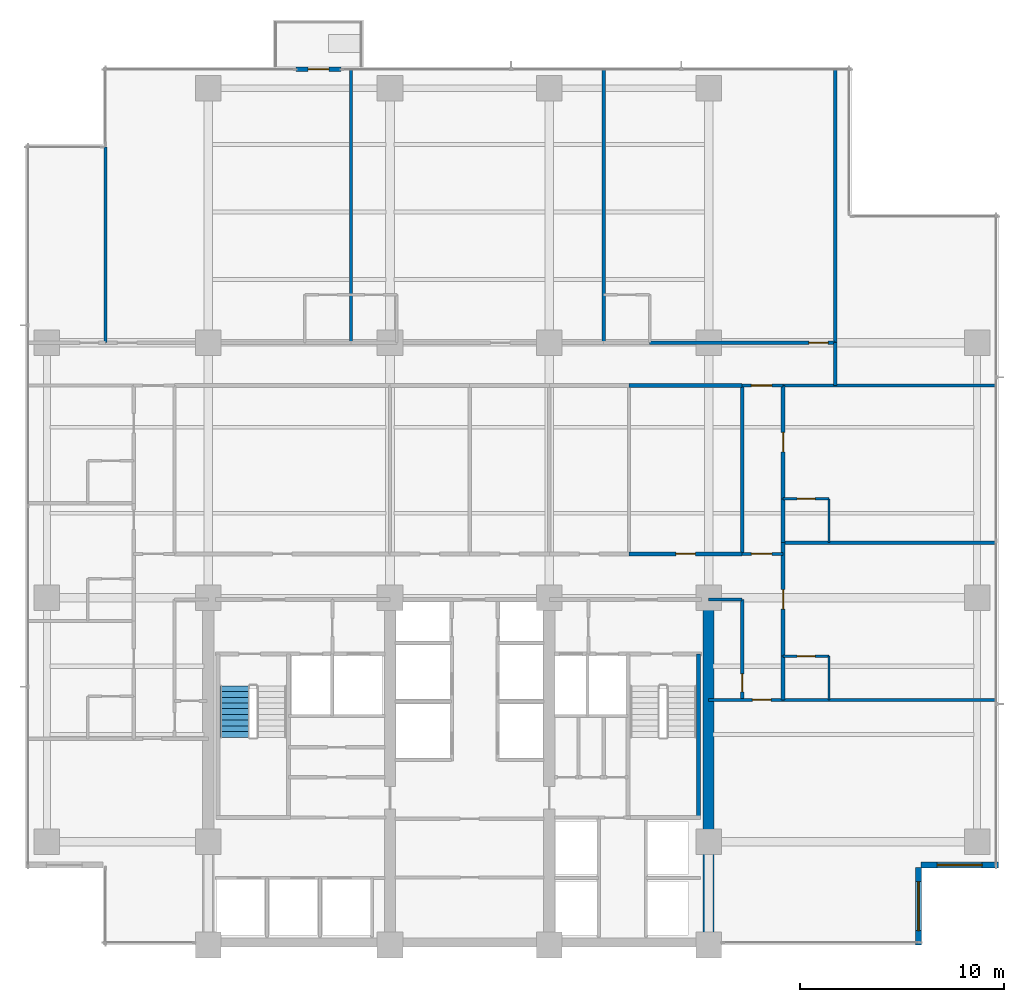
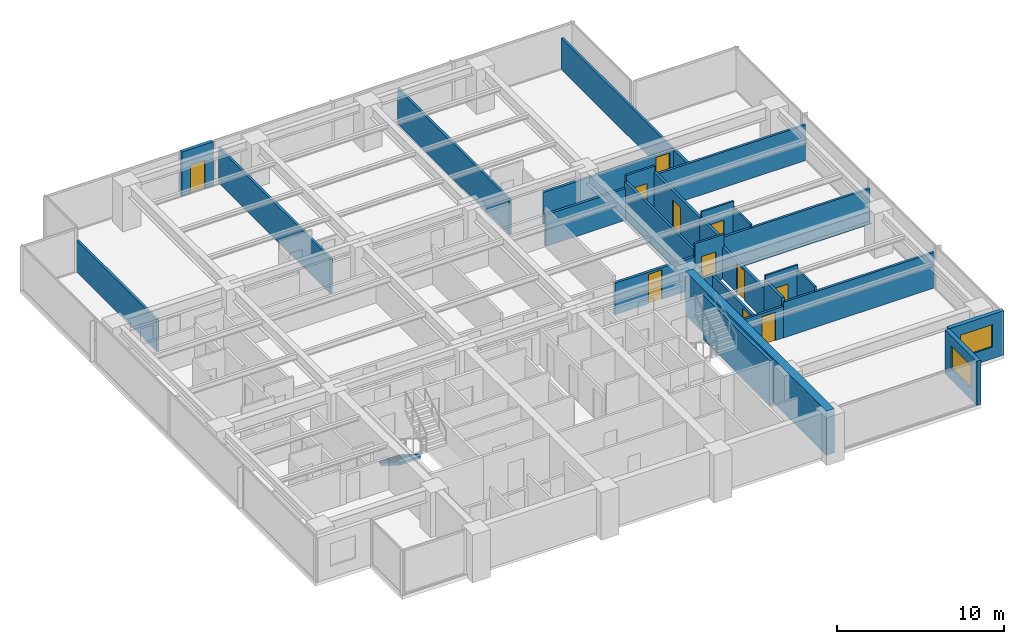
# One storey, part 11 of 17: 30 walls, 11 doors, 2 windows, 1 stair flight, 13 openings, 1 element without a shape of its own.
"""IFC4 building model written with IfcOpenShell, lengths in metres."""

from ifc_helpers import new_model, si_unit, direction, frame, frame_2d, origin, place, context, subcontext, project, spatial, polyline, rectangle, outline, extrude, material, layer, layer_set, type_object, element, fill, aggregate, save


model = new_model("IFC4")

# Units and contexts
model_context = context("Model", 3, precision=1e-05, world=origin(), true_north=direction((0.0, 1.0)))
body_context = subcontext(model_context, "Body", "Model", "MODEL_VIEW")
ifc_project = project(units=[si_unit("LENGTHUNIT", "METRE"), si_unit("AREAUNIT", "SQUARE_METRE"), si_unit("VOLUMEUNIT", "CUBIC_METRE"), si_unit("PLANEANGLEUNIT", "RADIAN"), si_unit("MASSUNIT", "GRAM", prefix="KILO")], contexts=[model_context])

# Site, building, storey
site_placement = place(None, origin())
site = spatial("IfcSite", under=ifc_project, at=site_placement, CompositionType="ELEMENT")
building_placement = place(site_placement, origin())
building = spatial("IfcBuilding", under=site, at=building_placement, Name="Qalmaran Belvedere Hotel", CompositionType="ELEMENT")
storey_placement = place(building_placement, frame((0.0, 0.0, 116.199951171875)))
storey = spatial("IfcBuildingStorey", under=building, at=storey_placement, Name="L29", CompositionType="ELEMENT", Elevation=116.199951171875)

# Wall, opening, door
ifc_material_1 = material(Name="Anodised Bronze Cladding")
ifc_layer_1 = layer(ifc_material_1, 0.22509765625, Name="Anodised Bronze Cladding")
ifc_layer_set_1 = layer_set([ifc_layer_1], Name="Anodised Bronze Cladding")
wall_type_1 = type_object("IfcWallType", Name="WL-BAL-PORT-225", PredefinedType="SOLIDWALL", material=ifc_layer_set_1)
wall_1_placement = place(storey_placement, frame((24.60009765625, 46.3798828125, 0.0), z_axis=(0.0, 0.0, 1.0), x_axis=(1.0, 0.0, 0.0)))
wall_1 = element("IfcWall", 1, at=wall_1_placement, inside=storey, type_object=wall_type_1, Name="L29 Tree Balcony Door Portal", PredefinedType="SOLIDWALL", context=body_context, shape_type="SweptSolid", body=[
    extrude(rectangle(XDim=2.199951171875, YDim=0.22509765625, at=frame_2d((1.10009765625, 0.0))), origin(), (0.0, 0.0, 1.0), 3.239990234375),
])
opening_1_placement = place(wall_1_placement, frame((0.590087890625, 0.0, 0.0)))
opening_1 = element("IfcOpeningElement", 2, at=opening_1_placement, cuts=wall_1, Name="Opening BL-102", PredefinedType="OPENING", context=body_context, shape_type="SweptSolid", body=[
    extrude(rectangle(XDim=1.02001953125, YDim=2.10009765625, at=frame_2d((0.510009765625, 1.050048828125))), frame((0.0, 0.12255859375, 0.0), z_axis=(0.0, -1.0, 0.0), x_axis=(1.0, 0.0, 0.0)), (0.0, 0.0, 1.0), 0.2451171875),
])
ifc_material_2 = material(Name="Anodised Bronze Aluminium", Category="aluminium")
door_type_1 = type_object("IfcDoorType", Name="DR-BAL-1020X2100", OperationType="NOTDEFINED", PredefinedType="DOOR", material=ifc_material_2)
door_1_placement = place(opening_1_placement, origin())
door_1 = element("IfcDoor", 3, at=door_1_placement, inside=storey, type_object=door_type_1, Name="L29 Planted Tree Balcony Door", OperationType="SINGLE_SWING_RIGHT", OverallHeight=2.10009765625, OverallWidth=1.02001953125, PredefinedType="DOOR", context=body_context, shape_type="SweptSolid", body=[
    extrude(rectangle(XDim=1.02001953125, YDim=2.10009765625, at=frame_2d((0.510009765625, 1.050048828125))), frame((0.0, 0.02490234375, 0.0), z_axis=(0.0, -1.0, 0.0), x_axis=(1.0, 0.0, 0.0)), (0.0, 0.0, 1.0), 0.050048828125),
])
fill(opening_1, door_1)

# Wall
ifc_material_3 = material(Name="Concrete C60/75", Category="concrete")
ifc_layer_2 = layer(ifc_material_3, 0.550048828125, Name="Concrete C60/75")
ifc_layer_set_2 = layer_set([ifc_layer_2], Name="Concrete C60/75")
wall_type_2 = type_object("IfcWallType", Name="WL-CORE-550-C60", PredefinedType="SHEAR", material=ifc_layer_set_2)
wall_2_placement = place(storey_placement, frame((44.800048828125, 3.5, 0.0), z_axis=(0.0, 0.0, 1.0), x_axis=(0.0, 1.0, 0.0)))
element("IfcWall", 4, at=wall_2_placement, inside=storey, type_object=wall_type_2, Name="L29 East Core Shear Wall", PredefinedType="SHEAR", context=body_context, shape_type="SweptSolid", body=[
    extrude(rectangle(XDim=16.89990234375, YDim=0.550048828125, at=frame_2d((8.449951171875, 0.0))), origin(), (0.0, 0.0, 1.0), 3.239990234375),
])

# Wall, opening, window
ifc_layer_3 = layer(ifc_material_1, 0.280029296875, Name="Anodised Bronze Cladding")
ifc_layer_set_3 = layer_set([ifc_layer_3], Name="Anodised Bronze Cladding")
wall_type_3 = type_object("IfcWallType", Name="WL-EXT-BRNZ-280", PredefinedType="SOLIDWALL", material=ifc_layer_set_3)
wall_3_placement = place(storey_placement, frame((55.080078125, 3.5, 0.0), z_axis=(0.0, 0.0, 1.0), x_axis=(0.0, 1.0, 0.0)))
wall_3 = element("IfcWall", 5, at=wall_3_placement, inside=storey, type_object=wall_type_3, Name="L29 Corner Notch Wall 1", PredefinedType="SOLIDWALL", context=body_context, shape_type="SweptSolid", body=[
    extrude(rectangle(XDim=3.800048828125, YDim=0.280029296875, at=frame_2d((1.89990234375, 0.0))), origin(), (0.0, 0.0, 1.0), 3.239990234375),
])
opening_2_placement = place(wall_3_placement, frame((0.699951171875, 0.0, 0.85009765625)))
opening_2 = element("IfcOpeningElement", 6, at=opening_2_placement, cuts=wall_3, Name="Opening W-N24", PredefinedType="OPENING", context=body_context, shape_type="SweptSolid", body=[
    extrude(rectangle(XDim=2.39990234375, YDim=1.64990234375, at=frame_2d((1.199951171875, 0.824951171875))), frame((0.0, 0.14990234375, 0.0), z_axis=(0.0, -1.0, 0.0), x_axis=(1.0, 0.0, 0.0)), (0.0, 0.0, 1.0), 0.300048828125),
])
ifc_material_4 = material(Name="Solar-Control Double Glazing", Category="glass")
window_type_1 = type_object("IfcWindowType", Name="WN-NTC-2400X1650", PartitioningType="SINGLE_PANEL", PredefinedType="WINDOW", material=ifc_material_4)
window_1_placement = place(opening_2_placement, origin())
window_1 = element("IfcWindow", 7, at=window_1_placement, inside=storey, type_object=window_type_1, Name="L29 Corner Notch Window 1", OverallHeight=1.64990234375, OverallWidth=2.39990234375, PartitioningType="SINGLE_PANEL", PredefinedType="WINDOW", context=body_context, shape_type="SweptSolid", body=[
    extrude(rectangle(XDim=2.39990234375, YDim=1.64990234375, at=frame_2d((1.199951171875, 0.824951171875))), frame((0.0, 0.030029296875, 0.0), z_axis=(0.0, -1.0, 0.0), x_axis=(1.0, 0.0, 0.0)), (0.0, 0.0, 1.0), 0.06005859375),
])
fill(opening_2, window_1)

wall_4_placement = place(storey_placement, frame((55.199951171875, 7.419921875, 0.0), z_axis=(0.0, 0.0, 1.0), x_axis=(1.0, 0.0, 0.0)))
wall_4 = element("IfcWall", 8, at=wall_4_placement, inside=storey, type_object=wall_type_3, Name="L29 Corner Notch Wall 2", PredefinedType="SOLIDWALL", context=body_context, shape_type="SweptSolid", body=[
    extrude(rectangle(XDim=3.800048828125, YDim=0.280029296875, at=frame_2d((1.89990234375, 0.0))), origin(), (0.0, 0.0, 1.0), 3.239990234375),
])
opening_3_placement = place(wall_4_placement, frame((0.800048828125, 0.0, 0.85009765625)))
opening_3 = element("IfcOpeningElement", 9, at=opening_3_placement, cuts=wall_4, Name="Opening W-N22", PredefinedType="OPENING", context=body_context, shape_type="SweptSolid", body=[
    extrude(rectangle(XDim=2.199951171875, YDim=1.64990234375, at=frame_2d((1.10009765625, 0.824951171875))), frame((0.0, 0.14990234375, 0.0), z_axis=(0.0, -1.0, 0.0), x_axis=(1.0, 0.0, 0.0)), (0.0, 0.0, 1.0), 0.300048828125),
])
window_type_2 = type_object("IfcWindowType", Name="WN-NTC-2200X1650", PartitioningType="SINGLE_PANEL", PredefinedType="WINDOW", material=ifc_material_4)
window_2_placement = place(opening_3_placement, origin())
window_2 = element("IfcWindow", 10, at=window_2_placement, inside=storey, type_object=window_type_2, Name="L29 Corner Notch Window 2", OverallHeight=1.64990234375, OverallWidth=2.199951171875, PartitioningType="SINGLE_PANEL", PredefinedType="WINDOW", context=body_context, shape_type="SweptSolid", body=[
    extrude(rectangle(XDim=2.199951171875, YDim=1.64990234375, at=frame_2d((1.10009765625, 0.824951171875))), frame((0.0, 0.030029296875, 0.0), z_axis=(0.0, -1.0, 0.0), x_axis=(1.0, 0.0, 0.0)), (0.0, 0.0, 1.0), 0.06005859375),
])
fill(opening_3, window_2)

# Wall, opening, door
ifc_material_5 = material(Name="Moisture-Resistant Gypsum")
ifc_layer_4 = layer(ifc_material_5, 0.1201171875, Name="Moisture-Resistant Gypsum")
ifc_layer_set_4 = layer_set([ifc_layer_4], Name="Moisture-Resistant Gypsum")
wall_type_4 = type_object("IfcWallType", Name="WL-INT-120-BATH", PredefinedType="PARTITIONING", material=ifc_layer_set_4)
wall_5_placement = place(storey_placement, frame((48.449951171875, 17.64990234375, 0.0), z_axis=(0.0, 0.0, 1.0), x_axis=(1.0, 0.0, 0.0)))
wall_5 = element("IfcWall", 11, at=wall_5_placement, inside=storey, type_object=wall_type_4, Name="L29 Partition WL-L29-EBN00", PredefinedType="PARTITIONING", context=body_context, shape_type="SweptSolid", body=[
    extrude(rectangle(XDim=2.25, YDim=0.1201171875, at=frame_2d((1.125, 0.0))), origin(), (0.0, 0.0, 1.0), 3.239990234375),
])
opening_4_placement = place(wall_5_placement, frame((1.56494140625, 0.0, 0.0), z_axis=(0.0, 0.0, 1.0), x_axis=(-1.0, 0.0, 0.0)))
opening_4 = element("IfcOpeningElement", 12, at=opening_4_placement, cuts=wall_5, Name="Opening D-BATH", PredefinedType="OPENING", context=body_context, shape_type="SweptSolid", body=[
    extrude(rectangle(XDim=0.8798828125, YDim=2.080078125, at=frame_2d((0.43994140625, 1.0400390625))), frame((0.0, 0.070068359375, 0.0), z_axis=(0.0, -1.0, 0.0), x_axis=(1.0, 0.0, 0.0)), (0.0, 0.0, 1.0), 0.14013671875),
])
ifc_material_6 = material(Name="Engineered Oak Veneer")
door_type_2 = type_object("IfcDoorType", Name="DR-INT-BATH-880X2080", OperationType="NOTDEFINED", PredefinedType="DOOR", material=ifc_material_6)
door_2_placement = place(opening_4_placement, origin())
door_2 = element("IfcDoor", 13, at=door_2_placement, inside=storey, type_object=door_type_2, Name="L29 E Ensuite Door 01", OperationType="SINGLE_SWING_RIGHT", OverallHeight=2.080078125, OverallWidth=0.8798828125, PredefinedType="DOOR", context=body_context, shape_type="SweptSolid", body=[
    extrude(rectangle(XDim=0.8798828125, YDim=2.080078125, at=frame_2d((0.43994140625, 1.0400390625))), frame((0.0, 0.02490234375, 0.0), z_axis=(0.0, -1.0, 0.0), x_axis=(1.0, 0.0, 0.0)), (0.0, 0.0, 1.0), 0.050048828125),
])
fill(opening_4, door_2)

# Wall
wall_6_placement = place(storey_placement, frame((50.699951171875, 15.5, 0.0), z_axis=(0.0, 0.0, 1.0), x_axis=(0.0, 1.0, 0.0)))
element("IfcWall", 14, at=wall_6_placement, inside=storey, type_object=wall_type_4, Name="L29 Partition WL-L29-EBS00", PredefinedType="PARTITIONING", context=body_context, shape_type="SweptSolid", body=[
    extrude(rectangle(XDim=2.14990234375, YDim=0.1201171875, at=frame_2d((1.074951171875, 0.0))), origin(), (0.0, 0.0, 1.0), 2.922119140625),
])

# Wall, opening, door
wall_7_placement = place(storey_placement, frame((48.449951171875, 25.35009765625, 0.0), z_axis=(0.0, 0.0, 1.0), x_axis=(1.0, 0.0, 0.0)))
wall_7 = element("IfcWall", 15, at=wall_7_placement, inside=storey, type_object=wall_type_4, Name="L29 Partition WL-L29-EBN01", PredefinedType="PARTITIONING", context=body_context, shape_type="SweptSolid", body=[
    extrude(rectangle(XDim=2.25, YDim=0.1201171875, at=frame_2d((1.125, 0.0))), origin(), (0.0, 0.0, 1.0), 3.239990234375),
])
opening_5_placement = place(wall_7_placement, frame((1.56494140625, 0.0, 0.0), z_axis=(0.0, 0.0, 1.0), x_axis=(-1.0, 0.0, 0.0)))
opening_5 = element("IfcOpeningElement", 16, at=opening_5_placement, cuts=wall_7, Name="Opening D-BATH", PredefinedType="OPENING", context=body_context, shape_type="SweptSolid", body=[
    extrude(rectangle(XDim=0.8798828125, YDim=2.080078125, at=frame_2d((0.43994140625, 1.0400390625))), frame((0.0, 0.070068359375, 0.0), z_axis=(0.0, -1.0, 0.0), x_axis=(1.0, 0.0, 0.0)), (0.0, 0.0, 1.0), 0.14013671875),
])
door_3_placement = place(opening_5_placement, origin())
door_3 = element("IfcDoor", 17, at=door_3_placement, inside=storey, type_object=door_type_2, Name="L29 E Ensuite Door 02", OperationType="SINGLE_SWING_RIGHT", OverallHeight=2.080078125, OverallWidth=0.8798828125, PredefinedType="DOOR", context=body_context, shape_type="SweptSolid", body=[
    extrude(rectangle(XDim=0.8798828125, YDim=2.080078125, at=frame_2d((0.43994140625, 1.0400390625))), frame((0.0, 0.02490234375, 0.0), z_axis=(0.0, -1.0, 0.0), x_axis=(1.0, 0.0, 0.0)), (0.0, 0.0, 1.0), 0.050048828125),
])
fill(opening_5, door_3)

# Wall
wall_8_placement = place(storey_placement, frame((50.699951171875, 23.199951171875, 0.0), z_axis=(0.0, 0.0, 1.0), x_axis=(0.0, 1.0, 0.0)))
element("IfcWall", 18, at=wall_8_placement, inside=storey, type_object=wall_type_4, Name="L29 Partition WL-L29-EBS01", PredefinedType="PARTITIONING", context=body_context, shape_type="SweptSolid", body=[
    extrude(rectangle(XDim=2.150146484375, YDim=0.1201171875, at=frame_2d((1.0751953125, 0.0))), origin(), (0.0, 0.0, 1.0), 2.818115234375),
])

# Wall, opening, door
ifc_material_7 = material(Name="Gypsum Stud Partition")
ifc_layer_5 = layer(ifc_material_7, 0.14990234375, Name="Gypsum Stud Partition")
ifc_layer_set_5 = layer_set([ifc_layer_5], Name="Gypsum Stud Partition")
wall_type_5 = type_object("IfcWallType", Name="WL-INT-150-EI60", PredefinedType="PARTITIONING", material=ifc_layer_set_5)
wall_9_placement = place(storey_placement, frame((46.449951171875, 22.64990234375, 0.0), z_axis=(0.0, 0.0, 1.0), x_axis=(1.0, 0.0, 0.0)))
wall_9 = element("IfcWall", 19, at=wall_9_placement, inside=storey, type_object=wall_type_5, Name="L29 Partition WL-L29-XCE1", PredefinedType="PARTITIONING", context=body_context, shape_type="SweptSolid", body=[
    extrude(rectangle(XDim=2.0, YDim=0.14990234375, at=frame_2d((1.0, 0.0))), origin(), (0.0, 0.0, 1.0), 3.239990234375),
])
opening_6_placement = place(wall_9_placement, frame((0.449951171875, 0.0, 0.0)))
opening_6 = element("IfcOpeningElement", 20, at=opening_6_placement, cuts=wall_9, Name="Opening FD90B", PredefinedType="OPENING", context=body_context, shape_type="SweptSolid", body=[
    extrude(rectangle(XDim=1.0, YDim=2.14990234375, at=frame_2d((0.5, 1.074951171875))), frame((0.0, 0.0849609375, 0.0), z_axis=(0.0, -1.0, 0.0), x_axis=(1.0, 0.0, 0.0)), (0.0, 0.0, 1.0), 0.169921875),
])
ifc_material_8 = material(Name="Steel S355JR", Category="steel")
door_type_3 = type_object("IfcDoorType", Name="DR-FD90B-1000X2150", OperationType="NOTDEFINED", PredefinedType="DOOR", material=ifc_material_8)
door_4_placement = place(opening_6_placement, origin())
door_4 = element("IfcDoor", 21, at=door_4_placement, inside=storey, type_object=door_type_3, Name="L29 East Corridor Smoke Door S", OperationType="SINGLE_SWING_LEFT", OverallHeight=2.14990234375, OverallWidth=1.0, PredefinedType="DOOR", context=body_context, shape_type="SweptSolid", body=[
    extrude(rectangle(XDim=1.0, YDim=2.14990234375, at=frame_2d((0.5, 1.074951171875))), frame((0.0, 0.02490234375, 0.0), z_axis=(0.0, -1.0, 0.0), x_axis=(1.0, 0.0, 0.0)), (0.0, 0.0, 1.0), 0.050048828125),
])
fill(opening_6, door_4)

wall_10_placement = place(storey_placement, frame((46.449951171875, 30.89990234375, 0.0), z_axis=(0.0, 0.0, 1.0), x_axis=(1.0, 0.0, 0.0)))
wall_10 = element("IfcWall", 22, at=wall_10_placement, inside=storey, type_object=wall_type_5, Name="L29 Partition WL-L29-XCE2", PredefinedType="PARTITIONING", context=body_context, shape_type="SweptSolid", body=[
    extrude(rectangle(XDim=2.0, YDim=0.14990234375, at=frame_2d((1.0, 0.0))), origin(), (0.0, 0.0, 1.0), 3.239990234375),
])
opening_7_placement = place(wall_10_placement, frame((0.449951171875, 0.0, 0.0)))
opening_7 = element("IfcOpeningElement", 23, at=opening_7_placement, cuts=wall_10, Name="Opening FD90B", PredefinedType="OPENING", context=body_context, shape_type="SweptSolid", body=[
    extrude(rectangle(XDim=1.0, YDim=2.14990234375, at=frame_2d((0.5, 1.074951171875))), frame((0.0, 0.0849609375, 0.0), z_axis=(0.0, -1.0, 0.0), x_axis=(1.0, 0.0, 0.0)), (0.0, 0.0, 1.0), 0.169921875),
])
door_5_placement = place(opening_7_placement, origin())
door_5 = element("IfcDoor", 24, at=door_5_placement, inside=storey, type_object=door_type_3, Name="L29 East Corridor Smoke Door N", OperationType="SINGLE_SWING_RIGHT", OverallHeight=2.14990234375, OverallWidth=1.0, PredefinedType="DOOR", context=body_context, shape_type="SweptSolid", body=[
    extrude(rectangle(XDim=1.0, YDim=2.14990234375, at=frame_2d((0.5, 1.074951171875))), frame((0.0, 0.02490234375, 0.0), z_axis=(0.0, -1.0, 0.0), x_axis=(1.0, 0.0, 0.0)), (0.0, 0.0, 1.0), 0.050048828125),
])
fill(opening_7, door_5)

ifc_layer_6 = layer(ifc_material_7, 0.159912109375, Name="Gypsum Stud Partition")
ifc_layer_set_6 = layer_set([ifc_layer_6], Name="Gypsum Stud Partition")
wall_type_6 = type_object("IfcWallType", Name="WL-INT-160-EI60", PredefinedType="PARTITIONING", material=ifc_layer_set_6)
wall_11_placement = place(storey_placement, frame((44.800048828125, 15.5, 0.0), z_axis=(0.0, 0.0, 1.0), x_axis=(1.0, 0.0, 0.0)))
wall_11 = element("IfcWall", 25, at=wall_11_placement, inside=storey, type_object=wall_type_6, Name="L29 Partition WL-L29-SERL", PredefinedType="PARTITIONING", context=body_context, shape_type="SweptSolid", body=[
    extrude(rectangle(XDim=3.64990234375, YDim=0.159912109375, at=frame_2d((1.824951171875, 0.0))), origin(), (0.0, 0.0, 1.0), 2.31298828125),
])
opening_8_placement = place(wall_11_placement, frame((3.06982421875, 0.0, 0.0), z_axis=(0.0, 0.0, 1.0), x_axis=(-1.0, 0.0, 0.0)))
opening_8 = element("IfcOpeningElement", 26, at=opening_8_placement, cuts=wall_11, Name="Opening FD60S1", PredefinedType="OPENING", context=body_context, shape_type="SweptSolid", body=[
    extrude(rectangle(XDim=0.919921875, YDim=2.080078125, at=frame_2d((0.4599609375, 1.0400390625))), frame((0.0, 0.08984375, 0.0), z_axis=(0.0, -1.0, 0.0), x_axis=(1.0, 0.0, 0.0)), (0.0, 0.0, 1.0), 0.179931640625),
])
door_type_4 = type_object("IfcDoorType", Name="DR-FD60S-920X2080", OperationType="NOTDEFINED", PredefinedType="DOOR", material=ifc_material_6)
door_6_placement = place(opening_8_placement, origin())
door_6 = element("IfcDoor", 27, at=door_6_placement, inside=storey, type_object=door_type_4, Name="L29 SE Lounge Door", OperationType="SINGLE_SWING_RIGHT", OverallHeight=2.080078125, OverallWidth=0.919921875, PredefinedType="DOOR", context=body_context, shape_type="SweptSolid", body=[
    extrude(rectangle(XDim=0.919921875, YDim=2.080078125, at=frame_2d((0.4599609375, 1.0400390625))), frame((0.0, 0.02490234375, 0.0), z_axis=(0.0, -1.0, 0.0), x_axis=(1.0, 0.0, 0.0)), (0.0, 0.0, 1.0), 0.050048828125),
])
fill(opening_8, door_6)

wall_12_placement = place(storey_placement, frame((46.449951171875, 15.5, 0.0), z_axis=(0.0, 0.0, 1.0), x_axis=(0.0, 1.0, 0.0)))
wall_12 = element("IfcWall", 28, at=wall_12_placement, inside=storey, type_object=wall_type_6, Name="L29 Partition WL-L29-ECL", PredefinedType="PARTITIONING", context=body_context, shape_type="SweptSolid", body=[
    extrude(rectangle(XDim=4.919921875, YDim=0.159912109375, at=frame_2d((2.4599609375, 0.0))), origin(), (0.0, 0.0, 1.0), 2.31298828125),
])
opening_9_placement = place(wall_12_placement, frame((0.39990234375, 0.0, 0.0)))
opening_9 = element("IfcOpeningElement", 29, at=opening_9_placement, cuts=wall_12, Name="Opening FD60B", PredefinedType="OPENING", context=body_context, shape_type="SweptSolid", body=[
    extrude(rectangle(XDim=0.8798828125, YDim=2.080078125, at=frame_2d((0.43994140625, 1.0400390625))), frame((0.0, 0.08984375, 0.0), z_axis=(0.0, -1.0, 0.0), x_axis=(1.0, 0.0, 0.0)), (0.0, 0.0, 1.0), 0.179931640625),
])
door_type_5 = type_object("IfcDoorType", Name="DR-FD60B-880X2080", OperationType="NOTDEFINED", PredefinedType="DOOR", material=ifc_material_8)
door_7_placement = place(opening_9_placement, origin())
door_7 = element("IfcDoor", 30, at=door_7_placement, inside=storey, type_object=door_type_5, Name="L29 East Closet Door", OperationType="SINGLE_SWING_RIGHT", OverallHeight=2.080078125, OverallWidth=0.8798828125, PredefinedType="DOOR", context=body_context, shape_type="SweptSolid", body=[
    extrude(rectangle(XDim=0.8798828125, YDim=2.080078125, at=frame_2d((0.43994140625, 1.0400390625))), frame((0.0, 0.02490234375, 0.0), z_axis=(0.0, -1.0, 0.0), x_axis=(1.0, 0.0, 0.0)), (0.0, 0.0, 1.0), 0.050048828125),
])
fill(opening_9, door_7)

# Walls
wall_13_placement = place(storey_placement, frame((44.800048828125, 20.419921875, 0.0), z_axis=(0.0, 0.0, 1.0), x_axis=(1.0, 0.0, 0.0)))
element("IfcWall", 31, at=wall_13_placement, inside=storey, type_object=wall_type_6, Name="L29 Partition WL-L29-ECLN", PredefinedType="PARTITIONING", context=body_context, shape_type="SweptSolid", body=[
    extrude(rectangle(XDim=1.64990234375, YDim=0.159912109375, at=frame_2d((0.824951171875, 0.0))), origin(), (0.0, 0.0, 1.0), 2.31298828125),
])
wall_14_placement = place(storey_placement, frame((51.0, 30.89990234375, 0.0), z_axis=(0.0, 0.0, 1.0), x_axis=(0.0, 1.0, 0.0)))
element("IfcWall", 32, at=wall_14_placement, inside=storey, type_object=wall_type_6, Name="L29 Partition WL-L29-NCGE", PredefinedType="PARTITIONING", context=body_context, shape_type="SweptSolid", body=[
    extrude(rectangle(XDim=2.10009765625, YDim=0.159912109375, at=frame_2d((1.050048828125, 0.0))), origin(), (0.0, 0.0, 1.0), 2.31298828125),
])
wall_15_placement = place(storey_placement, frame((46.449951171875, 22.64990234375, 0.0), z_axis=(0.0, 0.0, 1.0), x_axis=(0.0, 1.0, 0.0)))
element("IfcWall", 33, at=wall_15_placement, inside=storey, type_object=wall_type_6, Name="L29 Partition WL-L29-MIDVR5", PredefinedType="PARTITIONING", context=body_context, shape_type="SweptSolid", body=[
    extrude(rectangle(XDim=8.25, YDim=0.159912109375, at=frame_2d((4.125, 0.0))), origin(), (0.0, 0.0, 1.0), 2.818115234375),
])
wall_16_placement = place(storey_placement, frame((15.27001953125, 33.0, 0.0), z_axis=(0.0, 0.0, 1.0), x_axis=(0.0, 1.0, 0.0)))
element("IfcWall", 34, at=wall_16_placement, inside=storey, type_object=wall_type_6, Name="L29 Partition WL-L29-NUL", PredefinedType="PARTITIONING", context=body_context, shape_type="SweptSolid", body=[
    extrude(rectangle(XDim=9.580078125, YDim=0.159912109375, at=frame_2d((4.7900390625, 0.0))), origin(), (0.0, 0.0, 1.0), 2.31298828125),
])
for number, where, z_axis, x_axis, name in (
    (35, (27.285400390625, 33.0, 0.0), (0.0, 0.0, 1.0), (0.0, 1.0, 0.0), "L29 Partition WL-L29-NUR00"),
    (36, (39.664794921875, 33.0, 0.0), (0.0, 0.0, 1.0), (0.0, 1.0, 0.0), "L29 Partition WL-L29-NUR01"),
):
    element("IfcWall", number, at=place(storey_placement, frame(where, z_axis=z_axis, x_axis=x_axis)), inside=storey, type_object=wall_type_6, Name=name, PredefinedType="PARTITIONING", context=body_context, shape_type="SweptSolid", body=[
        extrude(rectangle(XDim=13.3798828125, YDim=0.159912109375, at=frame_2d((6.68994140625, 0.0))), origin(), (0.0, 0.0, 1.0), 2.60302734375),
    ])
wall_17_placement = place(storey_placement, frame((51.0, 33.0, 0.0), z_axis=(0.0, 0.0, 1.0), x_axis=(0.0, 1.0, 0.0)))
element("IfcWall", 37, at=wall_17_placement, inside=storey, type_object=wall_type_6, Name="L29 Partition WL-L29-NUR02", PredefinedType="PARTITIONING", context=body_context, shape_type="SweptSolid", body=[
    extrude(rectangle(XDim=13.3798828125, YDim=0.159912109375, at=frame_2d((6.68994140625, 0.0))), origin(), (0.0, 0.0, 1.0), 2.31298828125),
])
for number, where, z_axis, x_axis, name in (
    (38, (48.449951171875, 15.5, 0.0), (0.0, 0.0, 1.0), (1.0, 0.0, 0.0), "L29 Partition WL-L29-EBOT"),
    (39, (48.449951171875, 23.199951171875, 0.0), (0.0, 0.0, 1.0), (1.0, 0.0, 0.0), "L29 Partition WL-L29-EU00"),
    (40, (48.449951171875, 30.89990234375, 0.0), (0.0, 0.0, 1.0), (1.0, 0.0, 0.0), "L29 Partition WL-L29-EU01"),
):
    element("IfcWall", number, at=place(storey_placement, frame(where, z_axis=z_axis, x_axis=x_axis)), inside=storey, type_object=wall_type_6, Name=name, PredefinedType="PARTITIONING", context=body_context, shape_type="SweptSolid", body=[
        extrude(rectangle(XDim=10.429931640625, YDim=0.159912109375, at=frame_2d((5.21484375, 0.0))), origin(), (0.0, 0.0, 1.0), 2.60302734375),
    ])

# Wall, opening, door
ifc_layer_7 = layer(ifc_material_7, 0.179931640625, Name="Gypsum Stud Partition")
ifc_layer_set_7 = layer_set([ifc_layer_7], Name="Gypsum Stud Partition")
wall_type_7 = type_object("IfcWallType", Name="WL-INT-180-EI60", PredefinedType="PARTITIONING", material=ifc_layer_set_7)
wall_18_placement = place(storey_placement, frame((40.89990234375, 22.64990234375, 0.0), z_axis=(0.0, 0.0, 1.0), x_axis=(1.0, 0.0, 0.0)))
wall_18 = element("IfcWall", 41, at=wall_18_placement, inside=storey, type_object=wall_type_7, Name="L29 Partition WL-L29-MIDD5", PredefinedType="PARTITIONING", context=body_context, shape_type="SweptSolid", body=[
    extrude(rectangle(XDim=5.550048828125, YDim=0.179931640625, at=frame_2d((2.77490234375, 0.0))), origin(), (0.0, 0.0, 1.0), 2.31298828125),
])
opening_10_placement = place(wall_18_placement, frame((2.300048828125, 0.0, 0.0)))
opening_10 = element("IfcOpeningElement", 42, at=opening_10_placement, cuts=wall_18, Name="Opening FD60", PredefinedType="OPENING", context=body_context, shape_type="SweptSolid", body=[
    extrude(rectangle(XDim=0.949951171875, YDim=2.14990234375, at=frame_2d((0.47509765625, 1.074951171875))), frame((0.0, 0.10009765625, 0.0), z_axis=(0.0, -1.0, 0.0), x_axis=(1.0, 0.0, 0.0)), (0.0, 0.0, 1.0), 0.199951171875),
])
door_type_6 = type_object("IfcDoorType", Name="DR-FD60-950X2150", OperationType="NOTDEFINED", PredefinedType="DOOR", material=ifc_material_6)
door_8_placement = place(opening_10_placement, origin())
door_8 = element("IfcDoor", 43, at=door_8_placement, inside=storey, type_object=door_type_6, Name="L29 Library Door", OperationType="SINGLE_SWING_LEFT", OverallHeight=2.14990234375, OverallWidth=0.949951171875, PredefinedType="DOOR", context=body_context, shape_type="SweptSolid", body=[
    extrude(rectangle(XDim=0.949951171875, YDim=2.14990234375, at=frame_2d((0.47509765625, 1.074951171875))), frame((0.0, 0.02490234375, 0.0), z_axis=(0.0, -1.0, 0.0), x_axis=(1.0, 0.0, 0.0)), (0.0, 0.0, 1.0), 0.050048828125),
])
fill(opening_10, door_8)

# Wall
wall_19_placement = place(storey_placement, frame((40.89990234375, 30.89990234375, 0.0), z_axis=(0.0, 0.0, 1.0), x_axis=(1.0, 0.0, 0.0)))
element("IfcWall", 44, at=wall_19_placement, inside=storey, type_object=wall_type_7, Name="L29 Partition WL-L29-MIDO5", PredefinedType="PARTITIONING", context=body_context, shape_type="SweptSolid", body=[
    extrude(rectangle(XDim=5.550048828125, YDim=0.179931640625, at=frame_2d((2.77490234375, 0.0))), origin(), (0.0, 0.0, 1.0), 2.31298828125),
])

# Wall, opening, door
wall_20_placement = place(storey_placement, frame((41.914794921875, 33.0, 0.0), z_axis=(0.0, 0.0, 1.0), x_axis=(1.0, 0.0, 0.0)))
wall_20 = element("IfcWall", 45, at=wall_20_placement, inside=storey, type_object=wall_type_7, Name="L29 Partition WL-L29-NEC02", PredefinedType="PARTITIONING", context=body_context, shape_type="SweptSolid", body=[
    extrude(rectangle(XDim=9.085205078125, YDim=0.179931640625, at=frame_2d((4.54248046875, 0.0))), origin(), (0.0, 0.0, 1.0), 2.31298828125),
])
opening_11_placement = place(wall_20_placement, frame((7.796875, 0.0, 0.0)))
opening_11 = element("IfcOpeningElement", 46, at=opening_11_placement, cuts=wall_20, Name="Opening FD60", PredefinedType="OPENING", context=body_context, shape_type="SweptSolid", body=[
    extrude(rectangle(XDim=0.949951171875, YDim=2.14990234375, at=frame_2d((0.47509765625, 1.074951171875))), frame((0.0, 0.10009765625, 0.0), z_axis=(0.0, -1.0, 0.0), x_axis=(1.0, 0.0, 0.0)), (0.0, 0.0, 1.0), 0.199951171875),
])
door_9_placement = place(opening_11_placement, origin())
door_9 = element("IfcDoor", 47, at=door_9_placement, inside=storey, type_object=door_type_6, Name="L29 Guest Entrance Door N03", OperationType="SINGLE_SWING_LEFT", OverallHeight=2.14990234375, OverallWidth=0.949951171875, PredefinedType="DOOR", context=body_context, shape_type="SweptSolid", body=[
    extrude(rectangle(XDim=0.949951171875, YDim=2.14990234375, at=frame_2d((0.47509765625, 1.074951171875))), frame((0.0, 0.02490234375, 0.0), z_axis=(0.0, -1.0, 0.0), x_axis=(1.0, 0.0, 0.0)), (0.0, 0.0, 1.0), 0.050048828125),
])
fill(opening_11, door_9)

# Wall
wall_21_placement = place(storey_placement, frame((48.449951171875, 15.5, 0.0), z_axis=(0.0, 0.0, 1.0), x_axis=(0.0, 1.0, 0.0)))
element("IfcWall", 48, at=wall_21_placement, inside=storey, type_object=wall_type_7, Name="L29 Partition WL-L29-EBC00", PredefinedType="PARTITIONING", context=body_context, shape_type="SweptSolid", body=[
    extrude(rectangle(XDim=2.14990234375, YDim=0.179931640625, at=frame_2d((1.074951171875, 0.0))), origin(), (0.0, 0.0, 1.0), 2.922119140625),
])

# Wall, opening, door
wall_22_placement = place(storey_placement, frame((48.449951171875, 17.64990234375, 0.0), z_axis=(0.0, 0.0, 1.0), x_axis=(0.0, 1.0, 0.0)))
wall_22 = element("IfcWall", 49, at=wall_22_placement, inside=storey, type_object=wall_type_7, Name="L29 Partition WL-L29-EEC00", PredefinedType="PARTITIONING", context=body_context, shape_type="SweptSolid", body=[
    extrude(rectangle(XDim=5.550048828125, YDim=0.179931640625, at=frame_2d((2.77490234375, 0.0))), origin(), (0.0, 0.0, 1.0), 2.31298828125),
])
opening_12_placement = place(wall_22_placement, frame((3.25, 0.0, 0.0), z_axis=(0.0, 0.0, 1.0), x_axis=(-1.0, 0.0, 0.0)))
opening_12 = element("IfcOpeningElement", 50, at=opening_12_placement, cuts=wall_22, Name="Opening FD60", PredefinedType="OPENING", context=body_context, shape_type="SweptSolid", body=[
    extrude(rectangle(XDim=0.949951171875, YDim=2.14990234375, at=frame_2d((0.47509765625, 1.074951171875))), frame((0.0, 0.10009765625, 0.0), z_axis=(0.0, -1.0, 0.0), x_axis=(1.0, 0.0, 0.0)), (0.0, 0.0, 1.0), 0.199951171875),
])
door_10_placement = place(opening_12_placement, origin())
door_10 = element("IfcDoor", 51, at=door_10_placement, inside=storey, type_object=door_type_6, Name="L29 E Wing Door 01", OperationType="SINGLE_SWING_LEFT", OverallHeight=2.14990234375, OverallWidth=0.949951171875, PredefinedType="DOOR", context=body_context, shape_type="SweptSolid", body=[
    extrude(rectangle(XDim=0.949951171875, YDim=2.14990234375, at=frame_2d((0.47509765625, 1.074951171875))), frame((0.0, 0.02490234375, 0.0), z_axis=(0.0, -1.0, 0.0), x_axis=(1.0, 0.0, 0.0)), (0.0, 0.0, 1.0), 0.050048828125),
])
fill(opening_12, door_10)

# Wall
wall_23_placement = place(storey_placement, frame((48.449951171875, 23.199951171875, 0.0), z_axis=(0.0, 0.0, 1.0), x_axis=(0.0, 1.0, 0.0)))
element("IfcWall", 52, at=wall_23_placement, inside=storey, type_object=wall_type_7, Name="L29 Partition WL-L29-EBC01", PredefinedType="PARTITIONING", context=body_context, shape_type="SweptSolid", body=[
    extrude(rectangle(XDim=2.150146484375, YDim=0.179931640625, at=frame_2d((1.0751953125, 0.0))), origin(), (0.0, 0.0, 1.0), 2.818115234375),
])

# Wall, opening, door
wall_24_placement = place(storey_placement, frame((48.449951171875, 25.35009765625, 0.0), z_axis=(0.0, 0.0, 1.0), x_axis=(0.0, 1.0, 0.0)))
wall_24 = element("IfcWall", 53, at=wall_24_placement, inside=storey, type_object=wall_type_7, Name="L29 Partition WL-L29-EEC01", PredefinedType="PARTITIONING", context=body_context, shape_type="SweptSolid", body=[
    extrude(rectangle(XDim=5.5498046875, YDim=0.179931640625, at=frame_2d((2.77490234375, 0.0))), origin(), (0.0, 0.0, 1.0), 2.818115234375),
])
opening_13_placement = place(wall_24_placement, frame((3.25, 0.0, 0.0), z_axis=(0.0, 0.0, 1.0), x_axis=(-1.0, 0.0, 0.0)))
opening_13 = element("IfcOpeningElement", 54, at=opening_13_placement, cuts=wall_24, Name="Opening FD60", PredefinedType="OPENING", context=body_context, shape_type="SweptSolid", body=[
    extrude(rectangle(XDim=0.949951171875, YDim=2.14990234375, at=frame_2d((0.47509765625, 1.074951171875))), frame((0.0, 0.10009765625, 0.0), z_axis=(0.0, -1.0, 0.0), x_axis=(1.0, 0.0, 0.0)), (0.0, 0.0, 1.0), 0.199951171875),
])
door_11_placement = place(opening_13_placement, origin())
door_11 = element("IfcDoor", 55, at=door_11_placement, inside=storey, type_object=door_type_6, Name="L29 E Wing Door 02", OperationType="SINGLE_SWING_LEFT", OverallHeight=2.14990234375, OverallWidth=0.949951171875, PredefinedType="DOOR", context=body_context, shape_type="SweptSolid", body=[
    extrude(rectangle(XDim=0.949951171875, YDim=2.14990234375, at=frame_2d((0.47509765625, 1.074951171875))), frame((0.0, 0.02490234375, 0.0), z_axis=(0.0, -1.0, 0.0), x_axis=(1.0, 0.0, 0.0)), (0.0, 0.0, 1.0), 0.050048828125),
])
fill(opening_13, door_11)

# Wall
ifc_material_9 = material(Name="Concrete C50/60", Category="concrete")
ifc_layer_8 = layer(ifc_material_9, 0.2099609375, Name="Concrete C50/60")
ifc_layer_set_8 = layer_set([ifc_layer_8], Name="Concrete C50/60")
wall_type_8 = type_object("IfcWallType", Name="WL-STAIR-210-C50", PredefinedType="SHEAR", material=ifc_layer_set_8)
wall_25_placement = place(storey_placement, frame((44.304931640625, 9.7451171875, 0.0), z_axis=(0.0, 0.0, 1.0), x_axis=(0.0, 1.0, 0.0)))
element("IfcWall", 56, at=wall_25_placement, inside=storey, type_object=wall_type_8, Name="L29 Stair ST-2 East Bearing Wall", PredefinedType="SHEAR", context=body_context, shape_type="SweptSolid", body=[
    extrude(rectangle(XDim=8.009765625, YDim=0.2099609375, at=frame_2d((4.0048828125, 0.0))), origin(), (0.0, 0.0, 1.0), 3.239990234375),
])

# Stair, stair flight
ifc_material_10 = material(Name="Concrete C40/50", Category="concrete")
stair_type = type_object("IfcStairType", Name="STR-ST-1-1450-R1750", PredefinedType="HALF_TURN_STAIR", material=ifc_material_10)
stair_placement = place(storey_placement, origin())
stair = element("IfcStair", 57, at=stair_placement, inside=storey, type_object=stair_type, Name="L29 West Core Exit Stair ST-1", PredefinedType="HALF_TURN_STAIR")
ifc_layer_9 = layer(ifc_material_10, 0.14990234375, Name="Concrete C40/50")
ifc_layer_set_9 = layer_set([ifc_layer_9], Name="Concrete C40/50")
stair_flight_type = type_object("IfcStairFlightType", Name="STF-ST-1-1450-R1750", PredefinedType="STRAIGHT", material=ifc_layer_set_9)
stair_flight_placement = place(storey_placement, frame((21.60498046875, 16.18994140625, 0.0), z_axis=(0.0, 0.0, 1.0), x_axis=(0.0, -1.0, 0.0)))
stair_flight = element("IfcStairFlight", 58, at=stair_flight_placement, type_object=stair_flight_type, Name="ST-1 flight 1", NumberOfRisers=10, NumberOfTreads=9, PredefinedType="STRAIGHT", RiserHeight=0.175, TreadLength=0.28, context=body_context, shape_type="SweptSolid", body=[
    extrude(outline(polyline([(0.0, 0.0), (0.0, 0.175048828125), (0.280029296875, 0.175048828125), (0.280029296875, 0.35009765625), (0.56005859375, 0.35009765625), (0.56005859375, 0.52490234375), (0.840087890625, 0.52490234375), (0.840087890625, 0.699951171875), (1.1201171875, 0.699951171875), (1.1201171875, 0.875), (1.39990234375, 0.875), (1.39990234375, 1.050048828125), (1.679931640625, 1.050048828125), (1.679931640625, 1.22509765625), (1.9599609375, 1.22509765625), (1.9599609375, 1.39990234375), (2.239990234375, 1.39990234375), (2.239990234375, 1.574951171875), (2.52001953125, 1.574951171875), (2.52001953125, 1.75), (2.52001953125, 1.398193359375), (0.28271484375, 0.0), (0.0, 0.0)])), frame((0.0, 0.72509765625, 0.0), z_axis=(0.0, -1.0, 0.0), x_axis=(1.0, 0.0, 0.0)), (0.0, 0.0, 1.0), 1.449951171875),
])
aggregate(stair, [stair_flight])

save(model, "model.ifc")
